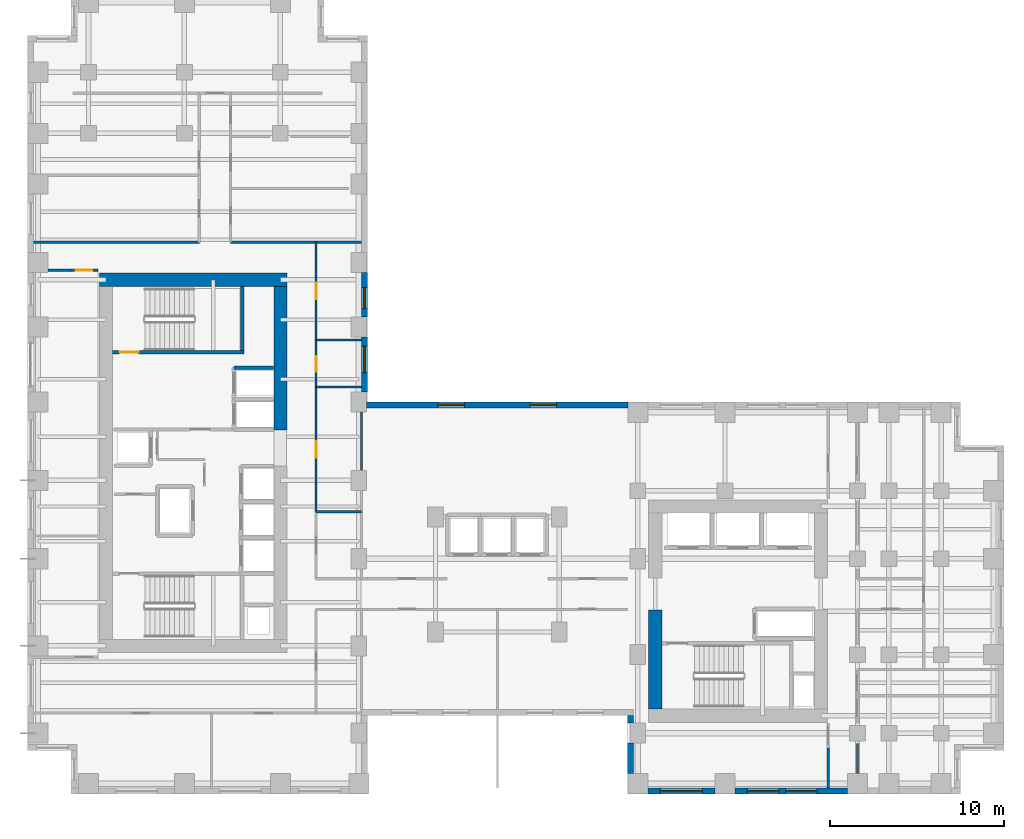
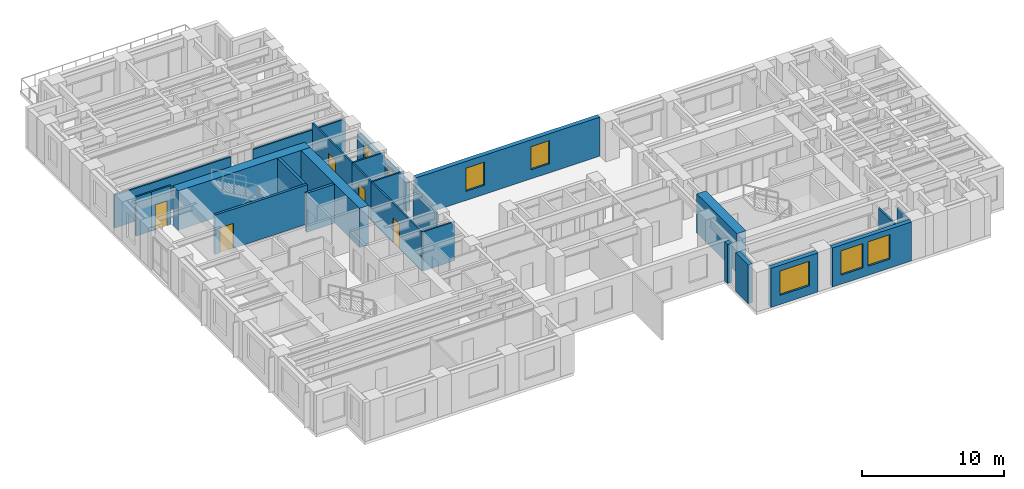
# One storey, part 7 of 13: 26 walls, 7 windows, 5 doors, 12 openings.
"""IFC4 building model written with IfcOpenShell, lengths in metres."""

from ifc_helpers import new_model, si_unit, direction, frame, frame_2d, origin, place, context, subcontext, project, spatial, rectangle, extrude, source, transform, mapped, material, layer, layer_set, type_object, element, fill, save


model = new_model("IFC4")

# Units and contexts
model_context = context("Model", 3, precision=1e-05, world=origin(), true_north=direction((0.0, 1.0)))
body_context = subcontext(model_context, "Body", "Model", "MODEL_VIEW")
ifc_project = project(units=[si_unit("LENGTHUNIT", "METRE"), si_unit("AREAUNIT", "SQUARE_METRE"), si_unit("VOLUMEUNIT", "CUBIC_METRE"), si_unit("PLANEANGLEUNIT", "RADIAN"), si_unit("MASSUNIT", "GRAM", prefix="KILO")], contexts=[model_context])

# Site, building, storey
site_placement = place(None, origin())
site = spatial("IfcSite", under=ifc_project, at=site_placement, CompositionType="ELEMENT")
building_placement = place(site_placement, origin())
building = spatial("IfcBuilding", under=site, at=building_placement, Name="Kharzan Plaza Tower", CompositionType="ELEMENT")
storey_placement = place(building_placement, frame((0.0, 0.0, 77.39990234375)))
storey = spatial("IfcBuildingStorey", under=building, at=storey_placement, Name="L20", CompositionType="ELEMENT", Elevation=77.39990234375)

# Wall, opening, window
ifc_material_1 = material(Name="Concrete C40/50", Category="concrete")
ifc_layer_1 = layer(ifc_material_1, 0.35009765625)
ifc_layer_set_1 = layer_set([ifc_layer_1], Name="Concrete C40/50")
wall_type_1 = type_object("IfcWallType", Name="WL-EXT-MAS-Z2", PredefinedType="SOLIDWALL", material=ifc_layer_set_1)
wall_1_placement = place(storey_placement, frame((35.572998046875, 0.175048828125, 0.0), z_axis=(0.0, 0.0, 1.0), x_axis=(1.0, 0.0, 0.0)))
wall_1 = element("IfcWall", 1, at=wall_1_placement, inside=storey, type_object=wall_type_1, Name="L20 Masonry-Frame Exterior Wall 31", PredefinedType="SOLIDWALL", context=body_context, shape_type="SweptSolid", body=[
    extrude(rectangle(XDim=3.85400390625, YDim=0.35009765625, at=frame_2d((1.927001953125, 0.0))), origin(), (0.0, 0.0, 1.0), 3.364990234375),
])
opening_1_placement = place(wall_1_placement, frame((0.72705078125, 0.0, 0.780029296875)))
opening_1 = element("IfcOpeningElement", 2, at=opening_1_placement, cuts=wall_1, Name="Opening W2", PredefinedType="OPENING", context=body_context, shape_type="SweptSolid", body=[
    extrude(rectangle(XDim=2.39990234375, YDim=2.10009765625, at=frame_2d((1.199951171875, 1.050048828125))), frame((0.0, 0.18505859375, 0.0), z_axis=(0.0, -1.0, 0.0), x_axis=(1.0, 0.0, 0.0)), (0.0, 0.0, 1.0), 0.3701171875),
])
ifc_material_2 = material(Name="Low-E Double Glazing", Category="glass")
window_type_1 = type_object("IfcWindowType", Name="WN-REC-2400x2100", PartitioningType="SINGLE_PANEL", PredefinedType="WINDOW", material=ifc_material_2)
shared_shape_1 = source(origin(), body_context, "Body", "SweptSolid", [
    extrude(rectangle(XDim=2.39990234375, YDim=2.10009765625, at=frame_2d((1.199951171875, 1.050048828125))), frame((0.0, 0.030029296875, 0.0), z_axis=(0.0, -1.0, 0.0), x_axis=(1.0, 0.0, 0.0)), (0.0, 0.0, 1.0), 0.06005859375),
])
window_1_placement = place(opening_1_placement, origin())
window_1 = element("IfcWindow", 3, at=window_1_placement, inside=storey, type_object=window_type_1, Name="L20 Wide Recessed Solar-Control Window 31-1", OverallHeight=2.10009765625, OverallWidth=2.39990234375, PartitioningType="SINGLE_PANEL", PredefinedType="WINDOW", context=body_context, shape_type="MappedRepresentation", body=[
    mapped(shared_shape_1, transform((0.0, 0.0, 0.0), x_axis=(1.0, 0.0, 0.0), y_axis=(0.0, 1.0, 0.0), z_axis=(0.0, 0.0, 1.0))),
])
fill(opening_1, window_1)

# Wall, openings, windows
wall_2_placement = place(storey_placement, frame((40.572998046875, 0.175048828125, 0.0), z_axis=(0.0, 0.0, 1.0), x_axis=(1.0, 0.0, 0.0)))
wall_2 = element("IfcWall", 4, at=wall_2_placement, inside=storey, type_object=wall_type_1, Name="L20 Masonry-Frame Exterior Wall 32", PredefinedType="SOLIDWALL", context=body_context, shape_type="SweptSolid", body=[
    extrude(rectangle(XDim=6.4541015625, YDim=0.35009765625, at=frame_2d((3.22705078125, 0.0))), origin(), (0.0, 0.0, 1.0), 3.364990234375),
])
opening_2_placement = place(wall_2_placement, frame((0.71240234375, 0.0, 0.780029296875)))
opening_2 = element("IfcOpeningElement", 5, at=opening_2_placement, cuts=wall_2, Name="Opening W1", PredefinedType="OPENING", context=body_context, shape_type="SweptSolid", body=[
    extrude(rectangle(XDim=1.800048828125, YDim=2.10009765625, at=frame_2d((0.89990234375, 1.050048828125))), frame((0.0, 0.18505859375, 0.0), z_axis=(0.0, -1.0, 0.0), x_axis=(1.0, 0.0, 0.0)), (0.0, 0.0, 1.0), 0.3701171875),
])
opening_3_placement = place(wall_2_placement, frame((2.90478515625, 0.0, 0.780029296875)))
opening_3 = element("IfcOpeningElement", 6, at=opening_3_placement, cuts=wall_2, Name="Opening W1", PredefinedType="OPENING", context=body_context, shape_type="SweptSolid", body=[
    extrude(rectangle(XDim=1.800048828125, YDim=2.10009765625, at=frame_2d((0.89990234375, 1.050048828125))), frame((0.0, 0.18505859375, 0.0), z_axis=(0.0, -1.0, 0.0), x_axis=(1.0, 0.0, 0.0)), (0.0, 0.0, 1.0), 0.3701171875),
])
window_type_2 = type_object("IfcWindowType", Name="WN-REC-1800x2100", PartitioningType="SINGLE_PANEL", PredefinedType="WINDOW", material=ifc_material_2)
shared_shape_2 = source(origin(), body_context, "Body", "SweptSolid", [
    extrude(rectangle(XDim=1.800048828125, YDim=2.10009765625, at=frame_2d((0.89990234375, 1.050048828125))), frame((0.0, 0.030029296875, 0.0), z_axis=(0.0, -1.0, 0.0), x_axis=(1.0, 0.0, 0.0)), (0.0, 0.0, 1.0), 0.06005859375),
])
window_2_placement = place(opening_2_placement, origin())
window_2 = element("IfcWindow", 7, at=window_2_placement, inside=storey, type_object=window_type_2, Name="L20 Recessed Solar-Control Window 32-1", OverallHeight=2.10009765625, OverallWidth=1.800048828125, PartitioningType="SINGLE_PANEL", PredefinedType="WINDOW", context=body_context, shape_type="MappedRepresentation", body=[
    mapped(shared_shape_2, transform((0.0, 0.0, 0.0), x_axis=(1.0, 0.0, 0.0), y_axis=(0.0, 1.0, 0.0), z_axis=(0.0, 0.0, 1.0))),
])
fill(opening_2, window_2)
window_3_placement = place(opening_3_placement, origin())
window_3 = element("IfcWindow", 8, at=window_3_placement, inside=storey, type_object=window_type_2, Name="L20 Recessed Solar-Control Window 32-2", OverallHeight=2.10009765625, OverallWidth=1.800048828125, PartitioningType="SINGLE_PANEL", PredefinedType="WINDOW", context=body_context, shape_type="MappedRepresentation", body=[
    mapped(shared_shape_2, transform((0.0, 0.0, 0.0), x_axis=(1.0, 0.0, 0.0), y_axis=(0.0, 1.0, 0.0), z_axis=(0.0, 0.0, 1.0))),
])
fill(opening_3, window_3)

wall_3_placement = place(storey_placement, frame((34.427001953125, 22.324951171875, 0.0), z_axis=(0.0, 0.0, 1.0), x_axis=(-1.0, 0.0, 0.0)))
wall_3 = element("IfcWall", 9, at=wall_3_placement, inside=storey, type_object=wall_type_1, Name="L20 Masonry-Frame Exterior Wall 49", PredefinedType="SOLIDWALL", context=body_context, shape_type="SweptSolid", body=[
    extrude(rectangle(XDim=14.97900390625, YDim=0.35009765625, at=frame_2d((7.489501953125, 0.0))), origin(), (0.0, 0.0, 1.0), 3.364990234375),
])
opening_4_placement = place(wall_3_placement, frame((4.099609375, 0.0, 0.780029296875)))
opening_4 = element("IfcOpeningElement", 10, at=opening_4_placement, cuts=wall_3, Name="Opening W5", PredefinedType="OPENING", context=body_context, shape_type="SweptSolid", body=[
    extrude(rectangle(XDim=1.5, YDim=2.0, at=frame_2d((0.75, 1.0))), frame((0.0, 0.18505859375, 0.0), z_axis=(0.0, -1.0, 0.0), x_axis=(1.0, 0.0, 0.0)), (0.0, 0.0, 1.0), 0.3701171875),
])
opening_5_placement = place(wall_3_placement, frame((9.37939453125, 0.0, 0.780029296875)))
opening_5 = element("IfcOpeningElement", 11, at=opening_5_placement, cuts=wall_3, Name="Opening W5", PredefinedType="OPENING", context=body_context, shape_type="SweptSolid", body=[
    extrude(rectangle(XDim=1.5, YDim=2.0, at=frame_2d((0.75, 1.0))), frame((0.0, 0.18505859375, 0.0), z_axis=(0.0, -1.0, 0.0), x_axis=(1.0, 0.0, 0.0)), (0.0, 0.0, 1.0), 0.3701171875),
])
window_type_3 = type_object("IfcWindowType", Name="WN-SLT-1500x2000", PartitioningType="SINGLE_PANEL", PredefinedType="WINDOW", material=ifc_material_2)
shared_shape_3 = source(origin(), body_context, "Body", "SweptSolid", [
    extrude(rectangle(XDim=1.5, YDim=2.0, at=frame_2d((0.75, 1.0))), frame((0.0, 0.030029296875, 0.0), z_axis=(0.0, -1.0, 0.0), x_axis=(1.0, 0.0, 0.0)), (0.0, 0.0, 1.0), 0.06005859375),
])
window_4_placement = place(opening_4_placement, origin())
window_4 = element("IfcWindow", 12, at=window_4_placement, inside=storey, type_object=window_type_3, Name="L20 Recessed Solar-Control Window 49-1", OverallHeight=2.0, OverallWidth=1.5, PartitioningType="SINGLE_PANEL", PredefinedType="WINDOW", context=body_context, shape_type="MappedRepresentation", body=[
    mapped(shared_shape_3, transform((0.0, 0.0, 0.0), x_axis=(1.0, 0.0, 0.0), y_axis=(0.0, 1.0, 0.0), z_axis=(0.0, 0.0, 1.0))),
])
fill(opening_4, window_4)
window_5_placement = place(opening_5_placement, origin())
window_5 = element("IfcWindow", 13, at=window_5_placement, inside=storey, type_object=window_type_3, Name="L20 Recessed Solar-Control Window 49-2", OverallHeight=2.0, OverallWidth=1.5, PartitioningType="SINGLE_PANEL", PredefinedType="WINDOW", context=body_context, shape_type="MappedRepresentation", body=[
    mapped(shared_shape_3, transform((0.0, 0.0, 0.0), x_axis=(1.0, 0.0, 0.0), y_axis=(0.0, 1.0, 0.0), z_axis=(0.0, 0.0, 1.0))),
])
fill(opening_5, window_5)

# Wall, opening, window
wall_4_placement = place(storey_placement, frame((19.324951171875, 23.072998046875, 0.0), z_axis=(0.0, 0.0, 1.0), x_axis=(0.0, 1.0, 0.0)))
wall_4 = element("IfcWall", 14, at=wall_4_placement, inside=storey, type_object=wall_type_1, Name="L20 Masonry-Frame Exterior Wall 50", PredefinedType="SOLIDWALL", context=body_context, shape_type="SweptSolid", body=[
    extrude(rectangle(XDim=3.154052734375, YDim=0.35009765625, at=frame_2d((1.5771484375, 0.0))), origin(), (0.0, 0.0, 1.0), 2.51904296875),
])
opening_6_placement = place(wall_4_placement, frame((1.10546875, 0.0, 0.780029296875)))
opening_6 = element("IfcOpeningElement", 15, at=opening_6_placement, cuts=wall_4, Name="Opening W5", PredefinedType="OPENING", context=body_context, shape_type="SweptSolid", body=[
    extrude(rectangle(XDim=1.5, YDim=1.55908203125, at=frame_2d((0.75, 0.779541015625))), frame((0.0, 0.18505859375, 0.0), z_axis=(0.0, -1.0, 0.0), x_axis=(1.0, 0.0, 0.0)), (0.0, 0.0, 1.0), 0.3701171875),
])
shared_shape_4 = source(origin(), body_context, "Body", "SweptSolid", [
    extrude(rectangle(XDim=1.5, YDim=1.55908203125, at=frame_2d((0.75, 0.779541015625))), frame((0.0, 0.030029296875, 0.0), z_axis=(0.0, -1.0, 0.0), x_axis=(1.0, 0.0, 0.0)), (0.0, 0.0, 1.0), 0.06005859375),
])
window_6_placement = place(opening_6_placement, origin())
window_6 = element("IfcWindow", 16, at=window_6_placement, inside=storey, type_object=window_type_3, Name="L20 Recessed Solar-Control Window 50-1", OverallHeight=1.55908203125, OverallWidth=1.5, PartitioningType="SINGLE_PANEL", PredefinedType="WINDOW", context=body_context, shape_type="MappedRepresentation", body=[
    mapped(shared_shape_4, transform((0.0, 0.0, 0.0), x_axis=(1.0, 0.0, 0.0), y_axis=(0.0, 1.0, 0.0), z_axis=(0.0, 0.0, 1.0))),
])
fill(opening_6, window_6)

wall_5_placement = place(storey_placement, frame((19.324951171875, 27.373046875, 0.0), z_axis=(0.0, 0.0, 1.0), x_axis=(0.0, 1.0, 0.0)))
wall_5 = element("IfcWall", 17, at=wall_5_placement, inside=storey, type_object=wall_type_1, Name="L20 Masonry-Frame Exterior Wall 51", PredefinedType="SOLIDWALL", context=body_context, shape_type="SweptSolid", body=[
    extrude(rectangle(XDim=2.553955078125, YDim=0.35009765625, at=frame_2d((1.27685546875, 0.0))), origin(), (0.0, 0.0, 1.0), 2.51904296875),
])
opening_7_placement = place(wall_5_placement, frame((0.47998046875, 0.0, 0.780029296875)))
opening_7 = element("IfcOpeningElement", 18, at=opening_7_placement, cuts=wall_5, Name="Opening W3", PredefinedType="OPENING", context=body_context, shape_type="SweptSolid", body=[
    extrude(rectangle(XDim=1.199951171875, YDim=1.55908203125, at=frame_2d((0.60009765625, 0.779541015625))), frame((0.0, 0.18505859375, 0.0), z_axis=(0.0, -1.0, 0.0), x_axis=(1.0, 0.0, 0.0)), (0.0, 0.0, 1.0), 0.3701171875),
])
window_type_4 = type_object("IfcWindowType", Name="WN-REC-1200x2100", PartitioningType="SINGLE_PANEL", PredefinedType="WINDOW", material=ifc_material_2)
shared_shape_5 = source(origin(), body_context, "Body", "SweptSolid", [
    extrude(rectangle(XDim=1.199951171875, YDim=1.55908203125, at=frame_2d((0.60009765625, 0.779541015625))), frame((0.0, 0.030029296875, 0.0), z_axis=(0.0, -1.0, 0.0), x_axis=(1.0, 0.0, 0.0)), (0.0, 0.0, 1.0), 0.06005859375),
])
window_7_placement = place(opening_7_placement, origin())
window_7 = element("IfcWindow", 19, at=window_7_placement, inside=storey, type_object=window_type_4, Name="L20 Recessed Solar-Control Window 51-1", OverallHeight=1.55908203125, OverallWidth=1.199951171875, PartitioningType="SINGLE_PANEL", PredefinedType="WINDOW", context=body_context, shape_type="MappedRepresentation", body=[
    mapped(shared_shape_5, transform((0.0, 0.0, 0.0), x_axis=(1.0, 0.0, 0.0), y_axis=(0.0, 1.0, 0.0), z_axis=(0.0, 0.0, 1.0))),
])
fill(opening_7, window_7)

# Wall, opening, door
ifc_material_3 = material(Name="Fire-Rated Gypsum Board Partition", Category="gypsum")
ifc_layer_2 = layer(ifc_material_3, 0.125)
ifc_layer_set_2 = layer_set([ifc_layer_2], Name="Fire-Rated Gypsum Board Partition")
wall_type_2 = type_object("IfcWallType", Name="WL-INT-PART-125", PredefinedType="PARTITIONING", material=ifc_layer_set_2)
wall_6_placement = place(storey_placement, frame((16.550048828125, 16.199951171875, 0.0), z_axis=(0.0, 0.0, 1.0), x_axis=(0.0, 1.0, 0.0)))
wall_6 = element("IfcWall", 20, at=wall_6_placement, inside=storey, type_object=wall_type_2, Name="L20 Interior Partition SH-AEWN2", PredefinedType="PARTITIONING", context=body_context, shape_type="SweptSolid", body=[
    extrude(rectangle(XDim=7.150146484375, YDim=0.125, at=frame_2d((3.5751953125, 0.0))), origin(), (0.0, 0.0, 1.0), 3.364990234375),
])
opening_8_placement = place(wall_6_placement, frame((3.10009765625, 0.0, 0.0)))
opening_8 = element("IfcOpeningElement", 21, at=opening_8_placement, cuts=wall_6, Name="Opening OD1", PredefinedType="OPENING", context=body_context, shape_type="SweptSolid", body=[
    extrude(rectangle(XDim=0.949951171875, YDim=2.14990234375, at=frame_2d((0.47509765625, 1.074951171875))), frame((0.0, 0.072509765625, 0.0), z_axis=(0.0, -1.0, 0.0), x_axis=(1.0, 0.0, 0.0)), (0.0, 0.0, 1.0), 0.14501953125),
])
ifc_material_4 = material(Name="Acoustic Solid-Core Stained Oak", Category="timber")
door_type_1 = type_object("IfcDoorType", Name="DR-OFF-SINGLE", OperationType="NOTDEFINED", PredefinedType="DOOR", material=ifc_material_4)
shared_shape_6 = source(origin(), body_context, "Body", "SweptSolid", [
    extrude(rectangle(XDim=0.949951171875, YDim=2.14990234375, at=frame_2d((0.47509765625, 1.074951171875))), frame((0.0, 0.02490234375, 0.0), z_axis=(0.0, -1.0, 0.0), x_axis=(1.0, 0.0, 0.0)), (0.0, 0.0, 1.0), 0.050048828125),
])
door_1_placement = place(opening_8_placement, origin())
door_1 = element("IfcDoor", 22, at=door_1_placement, inside=storey, type_object=door_type_1, Name="L20 Slot Studio Door", OperationType="SINGLE_SWING_LEFT", OverallHeight=2.14990234375, OverallWidth=0.949951171875, PredefinedType="DOOR", context=body_context, shape_type="MappedRepresentation", body=[
    mapped(shared_shape_6, transform((0.0, 0.0, 0.0), x_axis=(1.0, 0.0, 0.0), y_axis=(0.0, 1.0, 0.0), z_axis=(0.0, 0.0, 1.0))),
])
fill(opening_8, door_1)

wall_7_placement = place(storey_placement, frame((16.550048828125, 26.050048828125, 0.0), z_axis=(0.0, 0.0, 1.0), x_axis=(0.0, 1.0, 0.0)))
wall_7 = element("IfcWall", 23, at=wall_7_placement, inside=storey, type_object=wall_type_2, Name="L20 Interior Partition SH-AEWN3", PredefinedType="PARTITIONING", context=body_context, shape_type="SweptSolid", body=[
    extrude(rectangle(XDim=5.599853515625, YDim=0.125, at=frame_2d((2.7998046875, 0.0))), origin(), (0.0, 0.0, 1.0), 3.364990234375),
])
opening_9_placement = place(wall_7_placement, frame((2.324951171875, 0.0, 0.0)))
opening_9 = element("IfcOpeningElement", 24, at=opening_9_placement, cuts=wall_7, Name="Opening OD1", PredefinedType="OPENING", context=body_context, shape_type="SweptSolid", body=[
    extrude(rectangle(XDim=0.949951171875, YDim=2.14990234375, at=frame_2d((0.47509765625, 1.074951171875))), frame((0.0, 0.072509765625, 0.0), z_axis=(0.0, -1.0, 0.0), x_axis=(1.0, 0.0, 0.0)), (0.0, 0.0, 1.0), 0.14501953125),
])
door_2_placement = place(opening_9_placement, origin())
door_2 = element("IfcDoor", 25, at=door_2_placement, inside=storey, type_object=door_type_1, Name="L20 Staff Tea Point Door", OperationType="SINGLE_SWING_LEFT", OverallHeight=2.14990234375, OverallWidth=0.949951171875, PredefinedType="DOOR", context=body_context, shape_type="MappedRepresentation", body=[
    mapped(shared_shape_6, transform((0.0, 0.0, 0.0), x_axis=(1.0, 0.0, 0.0), y_axis=(0.0, 1.0, 0.0), z_axis=(0.0, 0.0, 1.0))),
])
fill(opening_9, door_2)

wall_8_placement = place(storey_placement, frame((16.550048828125, 23.35009765625, 0.0), z_axis=(0.0, 0.0, 1.0), x_axis=(0.0, 1.0, 0.0)))
wall_8 = element("IfcWall", 26, at=wall_8_placement, inside=storey, type_object=wall_type_2, Name="L20 Interior Partition SH-AEWW", PredefinedType="PARTITIONING", context=body_context, shape_type="SweptSolid", body=[
    extrude(rectangle(XDim=2.699951171875, YDim=0.125, at=frame_2d((1.35009765625, 0.0))), origin(), (0.0, 0.0, 1.0), 3.364990234375),
])
opening_10_placement = place(wall_8_placement, frame((0.875, 0.0, 0.0)))
opening_10 = element("IfcOpeningElement", 27, at=opening_10_placement, cuts=wall_8, Name="Opening WD1", PredefinedType="OPENING", context=body_context, shape_type="SweptSolid", body=[
    extrude(rectangle(XDim=0.89990234375, YDim=2.14990234375, at=frame_2d((0.449951171875, 1.074951171875))), frame((0.0, 0.072509765625, 0.0), z_axis=(0.0, -1.0, 0.0), x_axis=(1.0, 0.0, 0.0)), (0.0, 0.0, 1.0), 0.14501953125),
])
ifc_material_5 = material(Name="Moisture-Resistant Fire-Rated Laminate", Category="timber")
door_type_2 = type_object("IfcDoorType", Name="DR-WC-900", OperationType="NOTDEFINED", PredefinedType="DOOR", material=ifc_material_5)
shared_shape_7 = source(origin(), body_context, "Body", "SweptSolid", [
    extrude(rectangle(XDim=0.89990234375, YDim=2.14990234375, at=frame_2d((0.449951171875, 1.074951171875))), frame((0.0, 0.02490234375, 0.0), z_axis=(0.0, -1.0, 0.0), x_axis=(1.0, 0.0, 0.0)), (0.0, 0.0, 1.0), 0.050048828125),
])
door_3_placement = place(opening_10_placement, origin())
door_3 = element("IfcDoor", 28, at=door_3_placement, inside=storey, type_object=door_type_2, Name="L20 Wing A Washroom Door", OperationType="SINGLE_SWING_RIGHT", OverallHeight=2.14990234375, OverallWidth=0.89990234375, PredefinedType="DOOR", context=body_context, shape_type="MappedRepresentation", body=[
    mapped(shared_shape_7, transform((0.0, 0.0, 0.0), x_axis=(1.0, 0.0, 0.0), y_axis=(0.0, 1.0, 0.0), z_axis=(0.0, 0.0, 1.0))),
])
fill(opening_10, door_3)

wall_9_placement = place(storey_placement, frame((2.449951171875, 30.050048828125, 0.0), z_axis=(0.0, 0.0, 1.0), x_axis=(1.0, 0.0, 0.0)))
wall_9 = element("IfcWall", 29, at=wall_9_placement, inside=storey, type_object=wall_type_2, Name="L20 Interior Partition SH-RWND", PredefinedType="PARTITIONING", context=body_context, shape_type="SweptSolid", body=[
    extrude(rectangle(XDim=1.60009765625, YDim=0.125, at=frame_2d((0.800048828125, 0.0))), origin(), (0.0, 0.0, 1.0), 3.364990234375),
])
opening_11_placement = place(wall_9_placement, frame((0.324951171875, 0.0, 0.0)))
opening_11 = element("IfcOpeningElement", 30, at=opening_11_placement, cuts=wall_9, Name="Opening OD1", PredefinedType="OPENING", context=body_context, shape_type="SweptSolid", body=[
    extrude(rectangle(XDim=0.949951171875, YDim=2.14990234375, at=frame_2d((0.47509765625, 1.074951171875))), frame((0.0, 0.072509765625, 0.0), z_axis=(0.0, -1.0, 0.0), x_axis=(1.0, 0.0, 0.0)), (0.0, 0.0, 1.0), 0.14501953125),
])
door_4_placement = place(opening_11_placement, origin())
door_4 = element("IfcDoor", 31, at=door_4_placement, inside=storey, type_object=door_type_1, Name="L20 West Office 2 Door", OperationType="SINGLE_SWING_RIGHT", OverallHeight=2.14990234375, OverallWidth=0.949951171875, PredefinedType="DOOR", context=body_context, shape_type="MappedRepresentation", body=[
    mapped(shared_shape_6, transform((0.0, 0.0, 0.0), x_axis=(1.0, 0.0, 0.0), y_axis=(0.0, 1.0, 0.0), z_axis=(0.0, 0.0, 1.0))),
])
fill(opening_11, door_4)

ifc_material_6 = material(Name="Concrete C50/60", Category="concrete")
ifc_layer_3 = layer(ifc_material_6, 0.199951171875)
ifc_layer_set_3 = layer_set([ifc_layer_3], Name="Concrete C50/60")
wall_type_3 = type_object("IfcWallType", Name="WL-SHAFT-RC200", PredefinedType="SHEAR", material=ifc_layer_set_3)
wall_10_placement = place(storey_placement, frame((4.876953125, 25.344970703125, 0.0), z_axis=(0.0, 0.0, 1.0), x_axis=(1.0, 0.0, 0.0)))
wall_10 = element("IfcWall", 32, at=wall_10_placement, inside=storey, type_object=wall_type_3, Name="L20 Stair ST-2 South RC Shaft Wall", PredefinedType="SHEAR", context=body_context, shape_type="SweptSolid", body=[
    extrude(rectangle(XDim=7.528076171875, YDim=0.199951171875, at=frame_2d((3.76416015625, 0.0))), origin(), (0.0, 0.0, 1.0), 3.380126953125),
])
opening_12_placement = place(wall_10_placement, frame((0.39990234375, 0.0, 0.0)))
opening_12 = element("IfcOpeningElement", 33, at=opening_12_placement, cuts=wall_10, Name="Opening SD1", PredefinedType="OPENING", context=body_context, shape_type="SweptSolid", body=[
    extrude(rectangle(XDim=1.10009765625, YDim=2.14990234375, at=frame_2d((0.550048828125, 1.074951171875))), frame((0.0, 0.10986328125, 0.0), z_axis=(0.0, -1.0, 0.0), x_axis=(1.0, 0.0, 0.0)), (0.0, 0.0, 1.0), 0.219970703125),
])
ifc_material_7 = material(Name="Fire-Rated Hollow Galvanized Steel", Category="steel")
door_type_3 = type_object("IfcDoorType", Name="DR-STAIR-FD120", OperationType="NOTDEFINED", PredefinedType="DOOR", material=ifc_material_7)
shared_shape_8 = source(origin(), body_context, "Body", "SweptSolid", [
    extrude(rectangle(XDim=1.10009765625, YDim=2.14990234375, at=frame_2d((0.550048828125, 1.074951171875))), frame((0.0, 0.02490234375, 0.0), z_axis=(0.0, -1.0, 0.0), x_axis=(1.0, 0.0, 0.0)), (0.0, 0.0, 1.0), 0.050048828125),
])
door_5_placement = place(opening_12_placement, origin())
door_5 = element("IfcDoor", 34, at=door_5_placement, inside=storey, type_object=door_type_3, Name="L20 Stair ST-2 Fire Exit Door", OperationType="SINGLE_SWING_LEFT", OverallHeight=2.14990234375, OverallWidth=1.10009765625, PredefinedType="DOOR", context=body_context, shape_type="MappedRepresentation", body=[
    mapped(shared_shape_8, transform((0.0, 0.0, 0.0), x_axis=(1.0, 0.0, 0.0), y_axis=(0.0, 1.0, 0.0), z_axis=(0.0, 0.0, 1.0))),
])
fill(opening_12, door_5)

# Walls
shared_shape_9 = source(origin(), body_context, "Body", "SweptSolid", [
    extrude(rectangle(XDim=2.597900390625, YDim=0.125, at=frame_2d((1.298828125, 0.0))), origin(), (0.0, 0.0, 1.0), 3.364990234375),
])
for number, where, z_axis, x_axis, name in (
    (35, (16.550048828125, 23.35009765625, 0.0), (0.0, 0.0, 1.0), (1.0, 0.0, 0.0), "L20 Interior Partition SH-AEH-233"),
    (36, (16.550048828125, 26.050048828125, 0.0), (0.0, 0.0, 1.0), (1.0, 0.0, 0.0), "L20 Interior Partition SH-AEH-260"),
):
    element("IfcWall", number, at=place(storey_placement, frame(where, z_axis=z_axis, x_axis=x_axis)), inside=storey, type_object=wall_type_2, Name=name, PredefinedType="PARTITIONING", context=body_context, shape_type="MappedRepresentation", body=[
        mapped(shared_shape_9, transform((0.0, 0.0, 0.0), x_axis=(1.0, 0.0, 0.0), y_axis=(0.0, 1.0, 0.0), z_axis=(0.0, 0.0, 1.0))),
    ])
shared_shape_10 = source(origin(), body_context, "Body", "SweptSolid", [
    extrude(rectangle(XDim=2.2978515625, YDim=0.125, at=frame_2d((1.14892578125, 0.0))), origin(), (0.0, 0.0, 1.0), 3.364990234375),
])
wall_11_placement = place(storey_placement, frame((45.919921875, 0.35205078125, 0.0), z_axis=(0.0, 0.0, 1.0), x_axis=(0.0, 1.0, 0.0)))
element("IfcWall", 37, at=wall_11_placement, inside=storey, type_object=wall_type_2, Name="L20 Interior Partition SH-RBSE0", PredefinedType="PARTITIONING", context=body_context, shape_type="MappedRepresentation", body=[
    mapped(shared_shape_10, transform((0.0, 0.0, 0.0), x_axis=(1.0, 0.0, 0.0), y_axis=(0.0, 1.0, 0.0), z_axis=(0.0, 0.0, 1.0))),
])
shared_shape_11 = source(origin(), body_context, "Body", "SweptSolid", [
    extrude(rectangle(XDim=2.599853515625, YDim=0.125, at=frame_2d((1.2998046875, 0.0))), origin(), (0.0, 0.0, 1.0), 3.364990234375),
])
wall_12_placement = place(storey_placement, frame((16.550048828125, 16.199951171875, 0.0), z_axis=(0.0, 0.0, 1.0), x_axis=(1.0, 0.0, 0.0)))
element("IfcWall", 38, at=wall_12_placement, inside=storey, type_object=wall_type_2, Name="L20 Interior Partition SH-AEH-162", PredefinedType="PARTITIONING", context=body_context, shape_type="MappedRepresentation", body=[
    mapped(shared_shape_11, transform((0.0, 0.0, 0.0), x_axis=(1.0, 0.0, 0.0), y_axis=(0.0, 1.0, 0.0), z_axis=(0.0, 0.0, 1.0))),
])
shared_shape_12 = source(origin(), body_context, "Body", "SweptSolid", [
    extrude(rectangle(XDim=7.498046875, YDim=0.125, at=frame_2d((3.7490234375, 0.0))), origin(), (0.0, 0.0, 1.0), 2.828125),
])
wall_13_placement = place(storey_placement, frame((11.64990234375, 31.64990234375, 0.0), z_axis=(0.0, 0.0, 1.0), x_axis=(1.0, 0.0, 0.0)))
element("IfcWall", 39, at=wall_13_placement, inside=storey, type_object=wall_type_2, Name="L20 Interior Partition SH-NNE", PredefinedType="PARTITIONING", context=body_context, shape_type="MappedRepresentation", body=[
    mapped(shared_shape_12, transform((0.0, 0.0, 0.0), x_axis=(1.0, 0.0, 0.0), y_axis=(0.0, 1.0, 0.0), z_axis=(0.0, 0.0, 1.0))),
])
shared_shape_13 = source(origin(), body_context, "Body", "SweptSolid", [
    extrude(rectangle(XDim=9.498046875, YDim=0.125, at=frame_2d((4.7490234375, 0.0))), origin(), (0.0, 0.0, 1.0), 2.828125),
])
wall_14_placement = place(storey_placement, frame((0.35205078125, 31.64990234375, 0.0), z_axis=(0.0, 0.0, 1.0), x_axis=(1.0, 0.0, 0.0)))
element("IfcWall", 40, at=wall_14_placement, inside=storey, type_object=wall_type_2, Name="L20 Interior Partition SH-NNW", PredefinedType="PARTITIONING", context=body_context, shape_type="MappedRepresentation", body=[
    mapped(shared_shape_13, transform((0.0, 0.0, 0.0), x_axis=(1.0, 0.0, 0.0), y_axis=(0.0, 1.0, 0.0), z_axis=(0.0, 0.0, 1.0))),
])
ifc_material_8 = material(Name="Concrete C60/75", Category="concrete")
ifc_layer_4 = layer(ifc_material_8, 0.75)
ifc_layer_set_4 = layer_set([ifc_layer_4], Name="Concrete C60/75")
wall_type_4 = type_object("IfcWallType", Name="WL-CORE-750", PredefinedType="SHEAR", material=ifc_layer_set_4)
shared_shape_14 = source(origin(), body_context, "Body", "SweptSolid", [
    extrude(rectangle(XDim=8.2451171875, YDim=0.75, at=frame_2d((4.12255859375, 0.0))), origin(), (0.0, 0.0, 1.0), 3.380126953125),
])
wall_15_placement = place(storey_placement, frame((14.5, 20.8798828125, 0.0), z_axis=(0.0, 0.0, 1.0), x_axis=(0.0, 1.0, 0.0)))
element("IfcWall", 41, at=wall_15_placement, inside=storey, type_object=wall_type_4, Name="L20 CORE-A east shear pier 2", PredefinedType="SHEAR", context=body_context, shape_type="MappedRepresentation", body=[
    mapped(shared_shape_14, transform((0.0, 0.0, 0.0), x_axis=(1.0, 0.0, 0.0), y_axis=(0.0, 1.0, 0.0), z_axis=(0.0, 0.0, 1.0))),
])
shared_shape_15 = source(origin(), body_context, "Body", "SweptSolid", [
    extrude(rectangle(XDim=10.75, YDim=0.75, at=frame_2d((5.375, 0.0))), origin(), (0.0, 0.0, 1.0), 3.380126953125),
])
wall_16_placement = place(storey_placement, frame((4.125, 29.5, 0.0), z_axis=(0.0, 0.0, 1.0), x_axis=(1.0, 0.0, 0.0)))
element("IfcWall", 42, at=wall_16_placement, inside=storey, type_object=wall_type_4, Name="L20 CORE-A north RC shear wall", PredefinedType="SHEAR", context=body_context, shape_type="MappedRepresentation", body=[
    mapped(shared_shape_15, transform((0.0, 0.0, 0.0), x_axis=(1.0, 0.0, 0.0), y_axis=(0.0, 1.0, 0.0), z_axis=(0.0, 0.0, 1.0))),
])
shared_shape_16 = source(origin(), body_context, "Body", "SweptSolid", [
    extrude(rectangle(XDim=5.675048828125, YDim=0.75, at=frame_2d((2.83740234375, 0.0))), origin(), (0.0, 0.0, 1.0), 3.380126953125),
])
wall_17_placement = place(storey_placement, frame((36.0, 4.875, 0.0), z_axis=(0.0, 0.0, 1.0), x_axis=(0.0, 1.0, 0.0)))
element("IfcWall", 43, at=wall_17_placement, inside=storey, type_object=wall_type_4, Name="L20 CORE-B west shear pier 1", PredefinedType="SHEAR", context=body_context, shape_type="MappedRepresentation", body=[
    mapped(shared_shape_16, transform((0.0, 0.0, 0.0), x_axis=(1.0, 0.0, 0.0), y_axis=(0.0, 1.0, 0.0), z_axis=(0.0, 0.0, 1.0))),
])
shared_shape_17 = source(origin(), body_context, "Body", "SweptSolid", [
    extrude(rectangle(XDim=1.75390625, YDim=0.35009765625, at=frame_2d((0.876953125, 0.0))), origin(), (0.0, 0.0, 1.0), 3.364990234375),
])
wall_18_placement = place(storey_placement, frame((34.574951171875, 2.927001953125, 0.0), z_axis=(0.0, 0.0, 1.0), x_axis=(0.0, -1.0, 0.0)))
element("IfcWall", 44, at=wall_18_placement, inside=storey, type_object=wall_type_1, Name="L20 Masonry-Frame Exterior Wall 30", PredefinedType="SOLIDWALL", context=body_context, shape_type="MappedRepresentation", body=[
    mapped(shared_shape_17, transform((0.0, 0.0, 0.0), x_axis=(1.0, 0.0, 0.0), y_axis=(0.0, 1.0, 0.0), z_axis=(0.0, 0.0, 1.0))),
])
shared_shape_18 = source(origin(), body_context, "Body", "SweptSolid", [
    extrude(rectangle(XDim=0.428955078125, YDim=0.35009765625, at=frame_2d((0.21435546875, 0.0))), origin(), (0.0, 0.0, 1.0), 3.364990234375),
])
wall_19_placement = place(storey_placement, frame((34.574951171875, 4.501953125, 0.0), z_axis=(0.0, 0.0, 1.0), x_axis=(0.0, -1.0, 0.0)))
element("IfcWall", 45, at=wall_19_placement, inside=storey, type_object=wall_type_1, Name="L20 Masonry-Frame Exterior Wall 29", PredefinedType="SOLIDWALL", context=body_context, shape_type="MappedRepresentation", body=[
    mapped(shared_shape_18, transform((0.0, 0.0, 0.0), x_axis=(1.0, 0.0, 0.0), y_axis=(0.0, 1.0, 0.0), z_axis=(0.0, 0.0, 1.0))),
])
shared_shape_19 = source(origin(), body_context, "Body", "SweptSolid", [
    extrude(rectangle(XDim=3.31982421875, YDim=0.125, at=frame_2d((1.659912109375, 0.0))), origin(), (0.0, 0.0, 1.0), 2.677001953125),
])
wall_20_placement = place(storey_placement, frame((19.14990234375, 18.590087890625, 0.0), z_axis=(0.0, 0.0, 1.0), x_axis=(0.0, 1.0, 0.0)))
element("IfcWall", 46, at=wall_20_placement, inside=storey, type_object=wall_type_2, Name="L20 Interior Partition SH-AEN-DIV-S3", PredefinedType="PARTITIONING", context=body_context, shape_type="MappedRepresentation", body=[
    mapped(shared_shape_19, transform((0.0, 0.0, 0.0), x_axis=(1.0, 0.0, 0.0), y_axis=(0.0, 1.0, 0.0), z_axis=(0.0, 0.0, 1.0))),
])
shared_shape_20 = source(origin(), body_context, "Body", "SweptSolid", [
    extrude(rectangle(XDim=1.719970703125, YDim=0.125, at=frame_2d((0.85986328125, 0.0))), origin(), (0.0, 0.0, 1.0), 2.677001953125),
])
wall_21_placement = place(storey_placement, frame((47.60009765625, 1.18994140625, 0.0), z_axis=(0.0, 0.0, 1.0), x_axis=(0.0, 1.0, 0.0)))
element("IfcWall", 47, at=wall_21_placement, inside=storey, type_object=wall_type_2, Name="L20 Interior Partition SH-B2W0S", PredefinedType="PARTITIONING", context=body_context, shape_type="MappedRepresentation", body=[
    mapped(shared_shape_20, transform((0.0, 0.0, 0.0), x_axis=(1.0, 0.0, 0.0), y_axis=(0.0, 1.0, 0.0), z_axis=(0.0, 0.0, 1.0))),
])
shared_shape_21 = source(origin(), body_context, "Body", "SweptSolid", [
    extrude(rectangle(XDim=1.260009765625, YDim=0.125, at=frame_2d((0.6298828125, 0.0))), origin(), (0.0, 0.0, 1.0), 3.364990234375),
])
wall_22_placement = place(storey_placement, frame((1.18994140625, 30.050048828125, 0.0), z_axis=(0.0, 0.0, 1.0), x_axis=(1.0, 0.0, 0.0)))
element("IfcWall", 48, at=wall_22_placement, inside=storey, type_object=wall_type_2, Name="L20 Interior Partition SH-RWN0", PredefinedType="PARTITIONING", context=body_context, shape_type="MappedRepresentation", body=[
    mapped(shared_shape_21, transform((0.0, 0.0, 0.0), x_axis=(1.0, 0.0, 0.0), y_axis=(0.0, 1.0, 0.0), z_axis=(0.0, 0.0, 1.0))),
])
ifc_layer_5 = layer(ifc_material_1, 0.199951171875)
ifc_layer_set_5 = layer_set([ifc_layer_5], Name="Concrete C40/50")
wall_type_5 = type_object("IfcWallType", Name="WL-INT-SHAFT-200", PredefinedType="PARTITIONING", material=ifc_layer_set_5)
shared_shape_22 = source(origin(), body_context, "Body", "SweptSolid", [
    extrude(rectangle(XDim=2.264892578125, YDim=0.199951171875, at=frame_2d((1.13232421875, 0.0))), origin(), (0.0, 0.0, 1.0), 3.364990234375),
])
wall_23_placement = place(storey_placement, frame((11.830078125, 24.4599609375, 0.0), z_axis=(0.0, 0.0, 1.0), x_axis=(1.0, 0.0, 0.0)))
element("IfcWall", 49, at=wall_23_placement, inside=storey, type_object=wall_type_5, Name="L20 Interior Partition SHF-FFL-2-N", PredefinedType="PARTITIONING", context=body_context, shape_type="MappedRepresentation", body=[
    mapped(shared_shape_22, transform((0.0, 0.0, 0.0), x_axis=(1.0, 0.0, 0.0), y_axis=(0.0, 1.0, 0.0), z_axis=(0.0, 0.0, 1.0))),
])
shared_shape_23 = source(origin(), body_context, "Body", "SweptSolid", [
    extrude(rectangle(XDim=3.677978515625, YDim=0.199951171875, at=frame_2d((1.8388671875, 0.0))), origin(), (0.0, 0.0, 1.0), 3.380126953125),
])
wall_24_placement = place(storey_placement, frame((12.304931640625, 25.445068359375, 0.0), z_axis=(0.0, 0.0, 1.0), x_axis=(0.0, 1.0, 0.0)))
element("IfcWall", 50, at=wall_24_placement, inside=storey, type_object=wall_type_3, Name="L20 Stair ST-2 East RC Shaft Wall", PredefinedType="SHEAR", context=body_context, shape_type="MappedRepresentation", body=[
    mapped(shared_shape_23, transform((0.0, 0.0, 0.0), x_axis=(1.0, 0.0, 0.0), y_axis=(0.0, 1.0, 0.0), z_axis=(0.0, 0.0, 1.0))),
])

save(model, "model.ifc")
